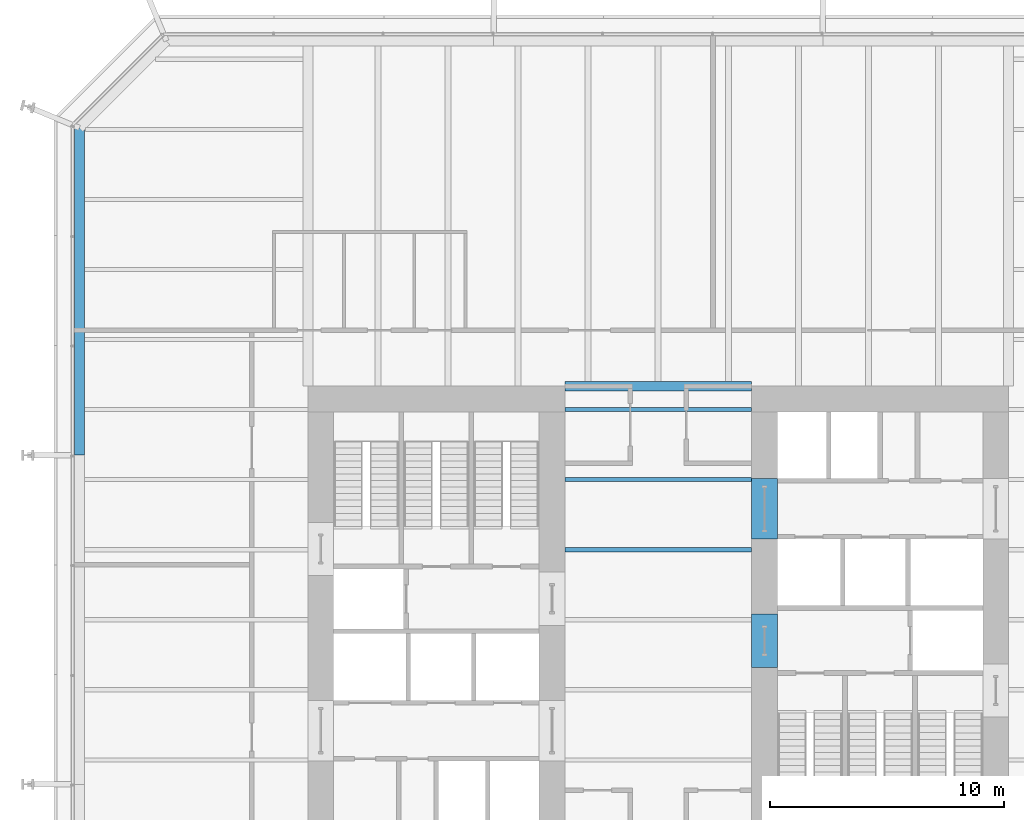
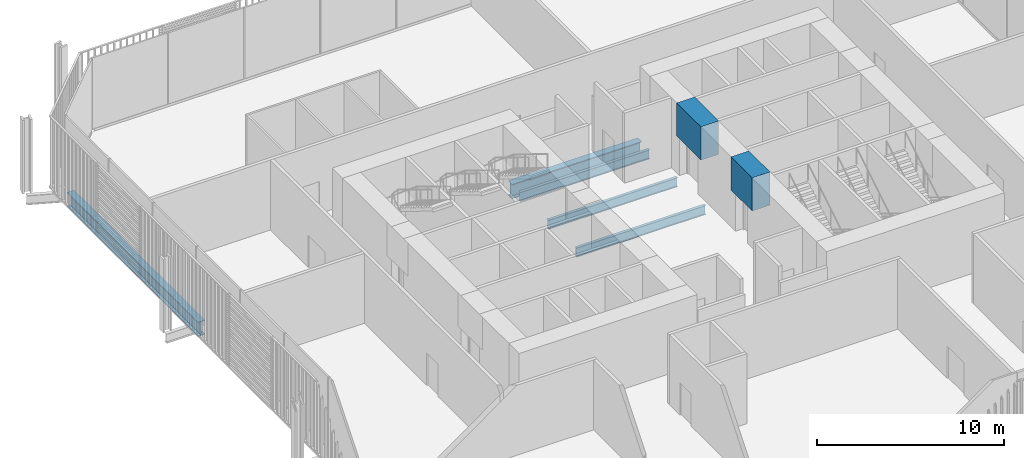
# One storey, part 8 of 21: 7 beams.
"""IFC4 building model written with IfcOpenShell, lengths in metres."""

from ifc_helpers import new_model, si_unit, direction, frame, origin, origin_2d, place, context, subcontext, project, spatial, rectangle, i_section, extrude, material, material_profile, profile_set, type_object, element, save


model = new_model("IFC4")

# Units and contexts
model_context = context("Model", 3, precision=1e-05, world=origin(), true_north=direction((0.0, 1.0)))
body_context = subcontext(model_context, "Body", "Model", "MODEL_VIEW")
ifc_project = project(units=[si_unit("LENGTHUNIT", "METRE"), si_unit("AREAUNIT", "SQUARE_METRE"), si_unit("VOLUMEUNIT", "CUBIC_METRE"), si_unit("PLANEANGLEUNIT", "RADIAN"), si_unit("MASSUNIT", "GRAM", prefix="KILO")], contexts=[model_context])

# Site, building, storey
site_placement = place(None, origin())
site = spatial("IfcSite", under=ifc_project, at=site_placement, CompositionType="ELEMENT")
building_placement = place(site_placement, origin())
building = spatial("IfcBuilding", under=site, at=building_placement, Name="Millrace Tower", CompositionType="ELEMENT")
storey_placement = place(building_placement, frame((0.0, 0.0, 16.10009765625)))
storey = spatial("IfcBuildingStorey", under=building, at=storey_placement, Name="L04", CompositionType="ELEMENT", Elevation=16.10009765625)

# Beams
ifc_material_1 = material(Name="Concrete C80", Category="concrete")
ifc_material_profile_1 = material_profile(ifc_material_1, rectangle(XDim=1.10009765625, YDim=2.175048828125, at=origin_2d()))
ifc_profile_set_1 = profile_set([ifc_material_profile_1], Name="Concrete C80")
beam_type_1 = type_object("IfcBeamType", Name="Coupling beam 1100 x 2175 Concrete C80, 1300 opening", PredefinedType="BEAM", material=ifc_profile_set_1)
beam_1_placement = place(storey_placement, frame((4.550048828125, 0.241943359375, 3.4873046875), z_axis=(0.0, -1.0, 0.0), x_axis=(1.0, 0.0, 0.0)))
element("IfcBeam", 1, at=beam_1_placement, inside=storey, type_object=beam_type_1, Name="Coupling beam E L04", PredefinedType="BEAM", context=body_context, shape_type="SweptSolid", body=[
    extrude(rectangle(XDim=1.10009765625, YDim=2.175048828125, at=origin_2d()), origin(), (0.0, 0.0, 1.0), 2.283935546875),
])
ifc_material_2 = material(Name="Concrete C80", Category="concrete")
ifc_material_profile_2 = material_profile(ifc_material_2, rectangle(XDim=1.10009765625, YDim=2.175048828125, at=origin_2d()))
ifc_profile_set_2 = profile_set([ifc_material_profile_2], Name="Concrete C80")
beam_type_2 = type_object("IfcBeamType", Name="Coupling beam 1100 x 2175 Concrete C80, 2000 opening", PredefinedType="BEAM", material=ifc_profile_set_2)
beam_2_placement = place(storey_placement, frame((4.550048828125, 6.050048828125, 3.4873046875), z_axis=(0.0, -1.0, 0.0), x_axis=(1.0, 0.0, 0.0)))
element("IfcBeam", 2, at=beam_2_placement, inside=storey, type_object=beam_type_2, Name="Coupling beam E L04", PredefinedType="BEAM", context=body_context, shape_type="SweptSolid", body=[
    extrude(rectangle(XDim=1.10009765625, YDim=2.175048828125, at=origin_2d()), origin(), (0.0, 0.0, 1.0), 2.60009765625),
])
ifc_material_3 = material(Name="Steel ASTM A992 Grade 50", Category="steel")
ifc_material_profile_3 = material_profile(ifc_material_3, i_section(OverallWidth=0.177978515625, OverallDepth=0.599365234375, WebThickness=0.010009765625, FlangeThickness=0.012939453125, FilletRadius=0.012939453125, at=origin_2d()))
ifc_profile_set_3 = profile_set([ifc_material_profile_3], Name="Steel ASTM A992 Grade 50")
beam_type_3 = type_object("IfcBeamType", Name="Floor beam W24x55", PredefinedType="JOIST", material=ifc_profile_set_3)
for number, where, z_axis, x_axis, name in (
    (3, (-4.0, 3.0, -0.52490234375), (1.0, 0.0, 0.0), (0.0, 1.0, 0.0), "BM-A-L04-S1-S023"),
    (4, (-4.0, 6.0, -0.52490234375), (1.0, 0.0, 0.0), (0.0, 1.0, 0.0), "BM-A-L04-S1-S026"),
    (5, (-4.0, 9.0, -0.52490234375), (1.0, 0.0, 0.0), (0.0, 1.0, 0.0), "BM-A-L04-S1-S029"),
):
    element("IfcBeam", number, at=place(storey_placement, frame(where, z_axis=z_axis, x_axis=x_axis)), inside=storey, type_object=beam_type_3, Name=name, PredefinedType="JOIST", context=body_context, shape_type="SweptSolid", body=[
        extrude(i_section(OverallWidth=0.177978515625, OverallDepth=0.599365234375, WebThickness=0.010009765625, FlangeThickness=0.012939453125, FilletRadius=0.012939453125, at=origin_2d()), origin(), (0.0, 0.0, 1.0), 8.0),
    ])
ifc_material_4 = material(Name="Steel ASTM A992 Grade 50", Category="steel")
ifc_material_profile_4 = material_profile(ifc_material_4, i_section(OverallWidth=0.424072265625, OverallDepth=0.947509765625, WebThickness=0.02392578125, FlangeThickness=0.042724609375, FilletRadius=0.024169921875, at=origin_2d()))
ifc_profile_set_4 = profile_set([ifc_material_profile_4], Name="Steel ASTM A992 Grade 50")
beam_type_4 = type_object("IfcBeamType", Name="Girder short span W36x302", PredefinedType="BEAM", material=ifc_profile_set_4)
beam_3_placement = place(storey_placement, frame((-4.0, 10.0, -0.69873046875), z_axis=(1.0, 0.0, 0.0), x_axis=(0.0, 1.0, 0.0)))
element("IfcBeam", 6, at=beam_3_placement, inside=storey, type_object=beam_type_4, Name="BM-A-L04-S1-G064", PredefinedType="BEAM", context=body_context, shape_type="SweptSolid", body=[
    extrude(i_section(OverallWidth=0.424072265625, OverallDepth=0.947509765625, WebThickness=0.02392578125, FlangeThickness=0.042724609375, FilletRadius=0.024169921875, at=origin_2d()), origin(), (0.0, 0.0, 1.0), 8.0),
])
ifc_material_5 = material(Name="Steel ASTM A992 Grade 50", Category="steel")
ifc_material_profile_5 = material_profile(ifc_material_5, i_section(OverallWidth=0.421630859375, OverallDepth=0.937255859375, WebThickness=0.021240234375, FlangeThickness=0.03662109375, FilletRadius=0.024169921875, at=origin_2d()))
ifc_profile_set_5 = profile_set([ifc_material_profile_5], Name="Steel ASTM A992 Grade 50")
beam_type_5 = type_object("IfcBeamType", Name="Ring beam medium span W36x262", PredefinedType="SPANDREL", material=ifc_profile_set_5)
beam_4_placement = place(storey_placement, frame((-24.7890625, 7.050048828125, -0.69384765625), z_axis=(0.0, 1.0, 0.0), x_axis=(-1.0, 0.0, 0.0)))
element("IfcBeam", 7, at=beam_4_placement, inside=storey, type_object=beam_type_5, Name="RNG-A-L04-S1-03", PredefinedType="SPANDREL", context=body_context, shape_type="SweptSolid", body=[
    extrude(i_section(OverallWidth=0.421630859375, OverallDepth=0.937255859375, WebThickness=0.021240234375, FlangeThickness=0.03662109375, FilletRadius=0.024169921875, at=origin_2d()), origin(), (0.0, 0.0, 1.0), 14.0126953125),
])

save(model, "model.ifc")
